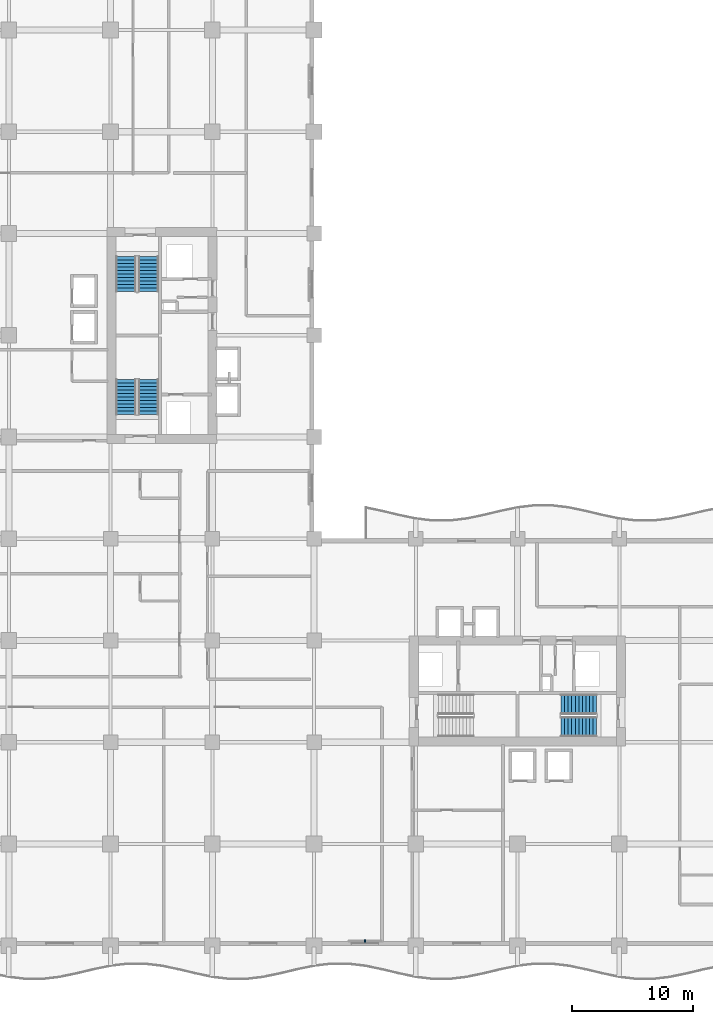
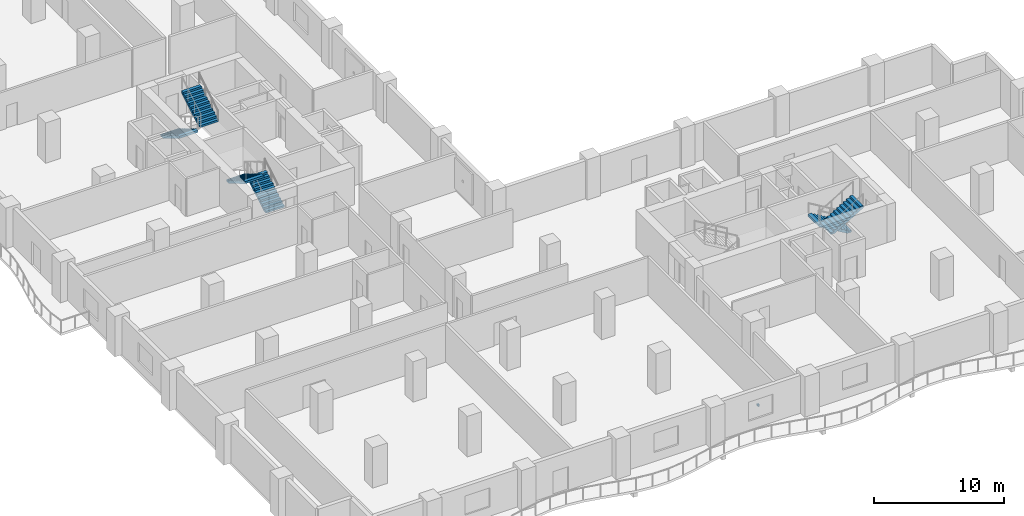
# One storey, part 10 of 15: 6 stair flights, 1 discrete accessory, 3 elements without a shape of their own.
"""IFC4 building model written with IfcOpenShell, lengths in metres."""

from ifc_helpers import new_model, si_unit, direction, frame, origin, origin_2d, place, context, subcontext, project, spatial, polyline, rectangle, outline, extrude, material, type_object, element, aggregate, save


model = new_model("IFC4")

# Units and contexts
model_context = context("Model", 3, precision=1e-05, world=origin(), true_north=direction((0.0, 1.0)))
body_context = subcontext(model_context, "Body", "Model", "MODEL_VIEW")
ifc_project = project(units=[si_unit("LENGTHUNIT", "METRE"), si_unit("AREAUNIT", "SQUARE_METRE"), si_unit("VOLUMEUNIT", "CUBIC_METRE"), si_unit("PLANEANGLEUNIT", "RADIAN"), si_unit("MASSUNIT", "GRAM", prefix="KILO")], contexts=[model_context])

# Site, building, storey
site_placement = place(None, origin())
site = spatial("IfcSite", under=ifc_project, at=site_placement, CompositionType="ELEMENT")
building_placement = place(site_placement, origin())
building = spatial("IfcBuilding", under=site, at=building_placement, Name="Koriwani Terraces Tower", CompositionType="ELEMENT")
storey_placement = place(building_placement, frame((0.0, 0.0, 138.0)))
storey = spatial("IfcBuildingStorey", under=building, at=storey_placement, Name="L33", CompositionType="ELEMENT", Elevation=138.0)

# Stair, stair flights
ifc_material_1 = material(Name="Concrete C40/50", Category="concrete")
stair_type = type_object("IfcStairType", Name="STAIR_CORE_DOGLEG_1650", PredefinedType="TWO_STRAIGHT_RUN_STAIR", material=ifc_material_1)
stair_1_placement = place(storey_placement, origin())
stair_1 = element("IfcStair", 1, at=stair_1_placement, inside=storey, type_object=stair_type, Name="L33 West Core Exit Stair 1", PredefinedType="HALF_TURN_STAIR")
stair_flight_type = type_object("IfcStairFlightType", Name="STAIR_FLIGHT_RC_1650", PredefinedType="STRAIGHT", material=ifc_material_1)
stair_flight_1_placement = place(storey_placement, frame((19.925048828125, 43.85009765625, 0.0), z_axis=(0.0, 0.0, 1.0), x_axis=(0.0, 1.0, 0.0)))
stair_flight_1 = element("IfcStairFlight", 2, at=stair_flight_1_placement, type_object=stair_flight_type, Name="ST-W1 flight 1", NumberOfRisers=11, NumberOfTreads=10, PredefinedType="STRAIGHT", RiserHeight=0.172727273, TreadLength=0.29, context=body_context, shape_type="SweptSolid", body=[
    extrude(outline(polyline([(0.0, 0.0), (0.0, 0.172607421875), (0.2900390625, 0.172607421875), (0.2900390625, 0.345458984375), (0.580078125, 0.345458984375), (0.580078125, 0.51806640625), (0.8701171875, 0.51806640625), (0.8701171875, 0.69091796875), (1.159912109375, 0.69091796875), (1.159912109375, 0.863525390625), (1.449951171875, 0.863525390625), (1.449951171875, 1.036376953125), (1.739990234375, 1.036376953125), (1.739990234375, 1.208984375), (2.030029296875, 1.208984375), (2.030029296875, 1.3818359375), (2.320068359375, 1.3818359375), (2.320068359375, 1.554443359375), (2.610107421875, 1.554443359375), (2.610107421875, 1.727294921875), (2.89990234375, 1.727294921875), (2.89990234375, 1.89990234375), (2.89990234375, 1.517822265625), (0.3515625, 0.0), (0.0, 0.0)])), frame((0.0, 0.824951171875, 0.0), z_axis=(0.0, -1.0, 0.0), x_axis=(1.0, 0.0, 0.0)), (0.0, 0.0, 1.0), 1.64990234375),
])
stair_flight_2_placement = place(storey_placement, frame((18.074951171875, 46.75, 1.89990234375), z_axis=(0.0, 0.0, 1.0), x_axis=(0.0, -1.0, 0.0)))
stair_flight_2 = element("IfcStairFlight", 3, at=stair_flight_2_placement, type_object=stair_flight_type, Name="ST-W1 flight 2", NumberOfRisers=11, NumberOfTreads=10, PredefinedType="STRAIGHT", RiserHeight=0.172727273, TreadLength=0.29, context=body_context, shape_type="SweptSolid", body=[
    extrude(outline(polyline([(0.0, 0.0), (0.0, 0.172607421875), (0.2900390625, 0.172607421875), (0.2900390625, 0.345458984375), (0.580078125, 0.345458984375), (0.580078125, 0.51806640625), (0.8701171875, 0.51806640625), (0.8701171875, 0.69091796875), (1.159912109375, 0.69091796875), (1.159912109375, 0.863525390625), (1.449951171875, 0.863525390625), (1.449951171875, 1.036376953125), (1.739990234375, 1.036376953125), (1.739990234375, 1.208984375), (2.030029296875, 1.208984375), (2.030029296875, 1.3818359375), (2.320068359375, 1.3818359375), (2.320068359375, 1.554443359375), (2.610107421875, 1.554443359375), (2.610107421875, 1.727294921875), (2.89990234375, 1.727294921875), (2.89990234375, 1.89990234375), (2.89990234375, 1.517822265625), (0.3515625, 0.0), (0.0, 0.0)])), frame((0.0, 0.824951171875, 0.0), z_axis=(0.0, -1.0, 0.0), x_axis=(1.0, 0.0, 0.0)), (0.0, 0.0, 1.0), 1.64990234375),
])
aggregate(stair_1, [stair_flight_1, stair_flight_2])

stair_2_placement = place(storey_placement, origin())
stair_2 = element("IfcStair", 4, at=stair_2_placement, inside=storey, type_object=stair_type, Name="L33 West Core Exit Stair 2", PredefinedType="HALF_TURN_STAIR")
stair_flight_3_placement = place(storey_placement, frame((18.074951171875, 56.89990234375, 0.0), z_axis=(0.0, 0.0, 1.0), x_axis=(0.0, -1.0, 0.0)))
stair_flight_3 = element("IfcStairFlight", 5, at=stair_flight_3_placement, type_object=stair_flight_type, Name="ST-W2 flight 1", NumberOfRisers=11, NumberOfTreads=10, PredefinedType="STRAIGHT", RiserHeight=0.172727273, TreadLength=0.29, context=body_context, shape_type="SweptSolid", body=[
    extrude(outline(polyline([(0.0, 0.0), (0.0, 0.172607421875), (0.2900390625, 0.172607421875), (0.2900390625, 0.345458984375), (0.580078125, 0.345458984375), (0.580078125, 0.51806640625), (0.8701171875, 0.51806640625), (0.8701171875, 0.69091796875), (1.159912109375, 0.69091796875), (1.159912109375, 0.863525390625), (1.449951171875, 0.863525390625), (1.449951171875, 1.036376953125), (1.739990234375, 1.036376953125), (1.739990234375, 1.208984375), (2.030029296875, 1.208984375), (2.030029296875, 1.3818359375), (2.320068359375, 1.3818359375), (2.320068359375, 1.554443359375), (2.610107421875, 1.554443359375), (2.610107421875, 1.727294921875), (2.89990234375, 1.727294921875), (2.89990234375, 1.89990234375), (2.89990234375, 1.517822265625), (0.3515625, 0.0), (0.0, 0.0)])), frame((0.0, 0.824951171875, 0.0), z_axis=(0.0, -1.0, 0.0), x_axis=(1.0, 0.0, 0.0)), (0.0, 0.0, 1.0), 1.64990234375),
])
stair_flight_4_placement = place(storey_placement, frame((19.925048828125, 54.0, 1.89990234375), z_axis=(0.0, 0.0, 1.0), x_axis=(0.0, 1.0, 0.0)))
stair_flight_4 = element("IfcStairFlight", 6, at=stair_flight_4_placement, type_object=stair_flight_type, Name="ST-W2 flight 2", NumberOfRisers=11, NumberOfTreads=10, PredefinedType="STRAIGHT", RiserHeight=0.172727273, TreadLength=0.29, context=body_context, shape_type="SweptSolid", body=[
    extrude(outline(polyline([(0.0, 0.0), (0.0, 0.172607421875), (0.2900390625, 0.172607421875), (0.2900390625, 0.345458984375), (0.580078125, 0.345458984375), (0.580078125, 0.51806640625), (0.8701171875, 0.51806640625), (0.8701171875, 0.69091796875), (1.159912109375, 0.69091796875), (1.159912109375, 0.863525390625), (1.449951171875, 0.863525390625), (1.449951171875, 1.036376953125), (1.739990234375, 1.036376953125), (1.739990234375, 1.208984375), (2.030029296875, 1.208984375), (2.030029296875, 1.3818359375), (2.320068359375, 1.3818359375), (2.320068359375, 1.554443359375), (2.610107421875, 1.554443359375), (2.610107421875, 1.727294921875), (2.89990234375, 1.727294921875), (2.89990234375, 1.89990234375), (2.89990234375, 1.517822265625), (0.3515625, 0.0), (0.0, 0.0)])), frame((0.0, 0.824951171875, 0.0), z_axis=(0.0, -1.0, 0.0), x_axis=(1.0, 0.0, 0.0)), (0.0, 0.0, 1.0), 1.64990234375),
])
aggregate(stair_2, [stair_flight_3, stair_flight_4])

stair_3_placement = place(storey_placement, origin())
stair_3 = element("IfcStair", 7, at=stair_3_placement, inside=storey, type_object=stair_type, Name="L33 East Core Exit Stair 2", PredefinedType="HALF_TURN_STAIR")
stair_flight_5_placement = place(storey_placement, frame((56.89990234375, 19.925048828125, 0.0), z_axis=(0.0, 0.0, 1.0), x_axis=(-1.0, 0.0, 0.0)))
stair_flight_5 = element("IfcStairFlight", 8, at=stair_flight_5_placement, type_object=stair_flight_type, Name="ST-E2 flight 1", NumberOfRisers=11, NumberOfTreads=10, PredefinedType="STRAIGHT", RiserHeight=0.172727273, TreadLength=0.29, context=body_context, shape_type="SweptSolid", body=[
    extrude(outline(polyline([(0.0, 0.0), (0.0, 0.172607421875), (0.2900390625, 0.172607421875), (0.2900390625, 0.345458984375), (0.580078125, 0.345458984375), (0.580078125, 0.51806640625), (0.8701171875, 0.51806640625), (0.8701171875, 0.69091796875), (1.159912109375, 0.69091796875), (1.159912109375, 0.863525390625), (1.449951171875, 0.863525390625), (1.449951171875, 1.036376953125), (1.739990234375, 1.036376953125), (1.739990234375, 1.208984375), (2.030029296875, 1.208984375), (2.030029296875, 1.3818359375), (2.320068359375, 1.3818359375), (2.320068359375, 1.554443359375), (2.610107421875, 1.554443359375), (2.610107421875, 1.727294921875), (2.89990234375, 1.727294921875), (2.89990234375, 1.89990234375), (2.89990234375, 1.517822265625), (0.3515625, 0.0), (0.0, 0.0)])), frame((0.0, 0.824951171875, 0.0), z_axis=(0.0, -1.0, 0.0), x_axis=(1.0, 0.0, 0.0)), (0.0, 0.0, 1.0), 1.64990234375),
])
stair_flight_6_placement = place(storey_placement, frame((54.0, 18.074951171875, 1.89990234375), z_axis=(0.0, 0.0, 1.0), x_axis=(1.0, 0.0, 0.0)))
stair_flight_6 = element("IfcStairFlight", 9, at=stair_flight_6_placement, type_object=stair_flight_type, Name="ST-E2 flight 2", NumberOfRisers=11, NumberOfTreads=10, PredefinedType="STRAIGHT", RiserHeight=0.172727273, TreadLength=0.29, context=body_context, shape_type="SweptSolid", body=[
    extrude(outline(polyline([(0.0, 0.0), (0.0, 0.172607421875), (0.2900390625, 0.172607421875), (0.2900390625, 0.345458984375), (0.580078125, 0.345458984375), (0.580078125, 0.51806640625), (0.8701171875, 0.51806640625), (0.8701171875, 0.69091796875), (1.159912109375, 0.69091796875), (1.159912109375, 0.863525390625), (1.449951171875, 0.863525390625), (1.449951171875, 1.036376953125), (1.739990234375, 1.036376953125), (1.739990234375, 1.208984375), (2.030029296875, 1.208984375), (2.030029296875, 1.3818359375), (2.320068359375, 1.3818359375), (2.320068359375, 1.554443359375), (2.610107421875, 1.554443359375), (2.610107421875, 1.727294921875), (2.89990234375, 1.727294921875), (2.89990234375, 1.89990234375), (2.89990234375, 1.517822265625), (0.3515625, 0.0), (0.0, 0.0)])), frame((0.0, 0.824951171875, 0.0), z_axis=(0.0, -1.0, 0.0), x_axis=(1.0, 0.0, 0.0)), (0.0, 0.0, 1.0), 1.64990234375),
])
aggregate(stair_3, [stair_flight_5, stair_flight_6])

# Discrete accessory
ifc_material_2 = material(Name="Steel ASTM A572 Grade 50", Category="steel")
discrete_accessory_type = type_object("IfcDiscreteAccessoryType", Name="BAGUETTE_STANDOFF_BRACKET", PredefinedType="BRACKET", material=ifc_material_2)
discrete_accessory_placement = place(storey_placement, frame((37.800048828125, 0.389892578125, 1.68505859375), z_axis=(0.0, 0.0, 1.0), x_axis=(-1.0, 0.0, 0.0)))
element("IfcDiscreteAccessory", 10, at=discrete_accessory_placement, inside=storey, type_object=discrete_accessory_type, Name="L33 Terracotta Baguette Bracket (S-12)", PredefinedType="BRACKET", context=body_context, shape_type="SweptSolid", body=[
    extrude(rectangle(XDim=0.159912109375, YDim=0.199951171875, at=origin_2d()), origin(), (0.0, 0.0, 1.0), 0.179931640625),
])

save(model, "model.ifc")
